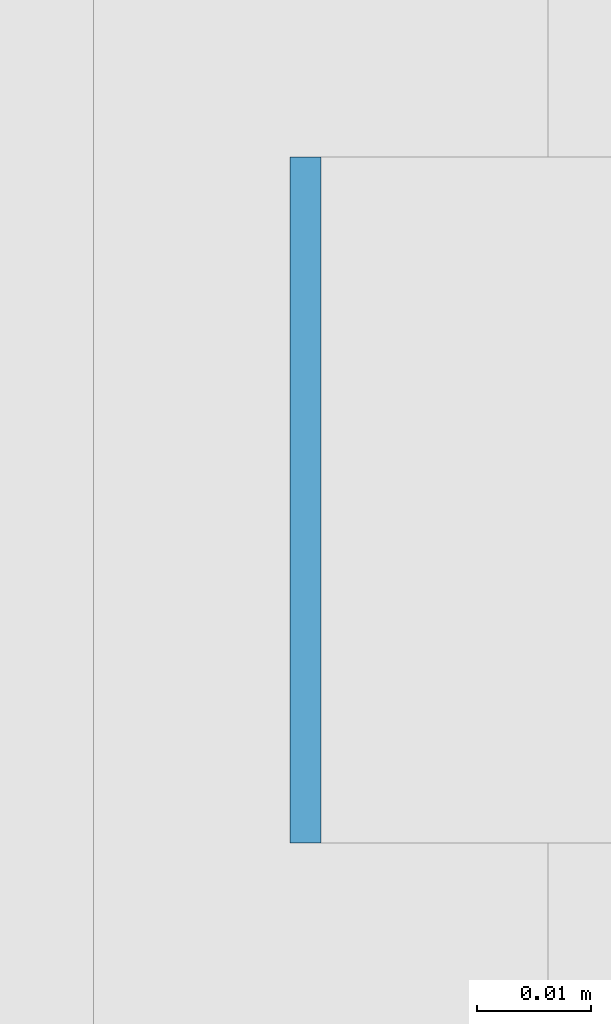
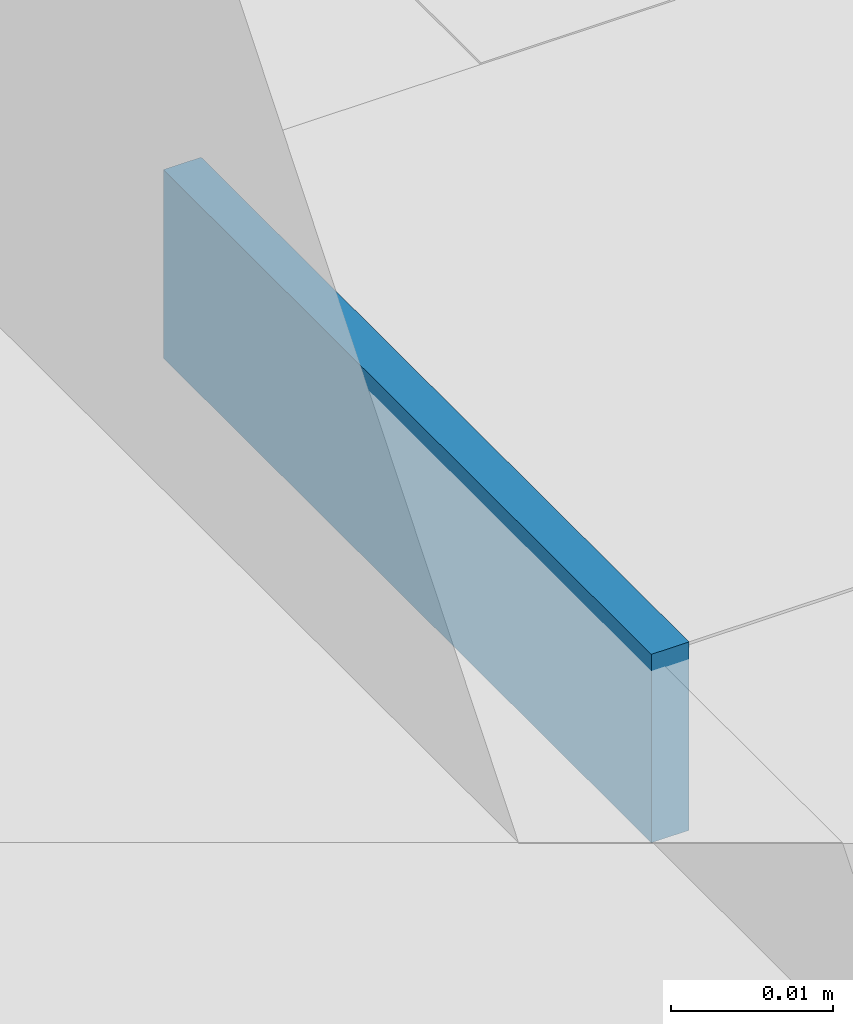
# One storey, part 455 of 646: 1 discrete accessory.
"""IFC4 building model written with IfcOpenShell, lengths in metres."""

from ifc_helpers import new_model, si_unit, direction, frame, origin, origin_2d, place, context, subcontext, project, spatial, rectangle, extrude, material, type_object, element, save


model = new_model("IFC4")

# Units and contexts
model_context = context("Model", 3, precision=1e-05, world=origin(), true_north=direction((0.0, 1.0)))
body_context = subcontext(model_context, "Body", "Model", "MODEL_VIEW")
ifc_project = project(units=[si_unit("LENGTHUNIT", "METRE"), si_unit("AREAUNIT", "SQUARE_METRE"), si_unit("VOLUMEUNIT", "CUBIC_METRE"), si_unit("PLANEANGLEUNIT", "RADIAN"), si_unit("MASSUNIT", "GRAM", prefix="KILO")], contexts=[model_context])

# Site, building, storey
site_placement = place(None, origin())
site = spatial("IfcSite", under=ifc_project, at=site_placement, CompositionType="ELEMENT")
building_placement = place(site_placement, origin())
building = spatial("IfcBuilding", under=site, at=building_placement, Name="Silverbay Arena", CompositionType="ELEMENT")
storey_placement = place(building_placement, frame((0.0, 0.0, 33.5)))
storey = spatial("IfcBuildingStorey", under=building, at=storey_placement, Name="L05", CompositionType="ELEMENT", Elevation=33.5)

# Discrete accessory
ifc_material = material(Name="Steel S355", Category="steel")
discrete_accessory_type = type_object("IfcDiscreteAccessoryType", Name="Steel bracket plate", PredefinedType="BRACKET", material=ifc_material)
discrete_accessory_placement = place(storey_placement, frame((207.128662109375, 42.428466796875, 12.98583984375), z_axis=(0.0, 0.0, 1.0), x_axis=(1.0, 0.0, 0.0)))
element("IfcDiscreteAccessory", 1, at=discrete_accessory_placement, inside=storey, type_object=discrete_accessory_type, Name="Curtain wall packing plate", PredefinedType="BRACKET", context=body_context, shape_type="SweptSolid", body=[
    extrude(rectangle(XDim=0.002685546875, YDim=0.06005859375, at=origin_2d()), origin(), (0.0, 0.0, 1.0), 0.01416015625),
])

save(model, "model.ifc")
